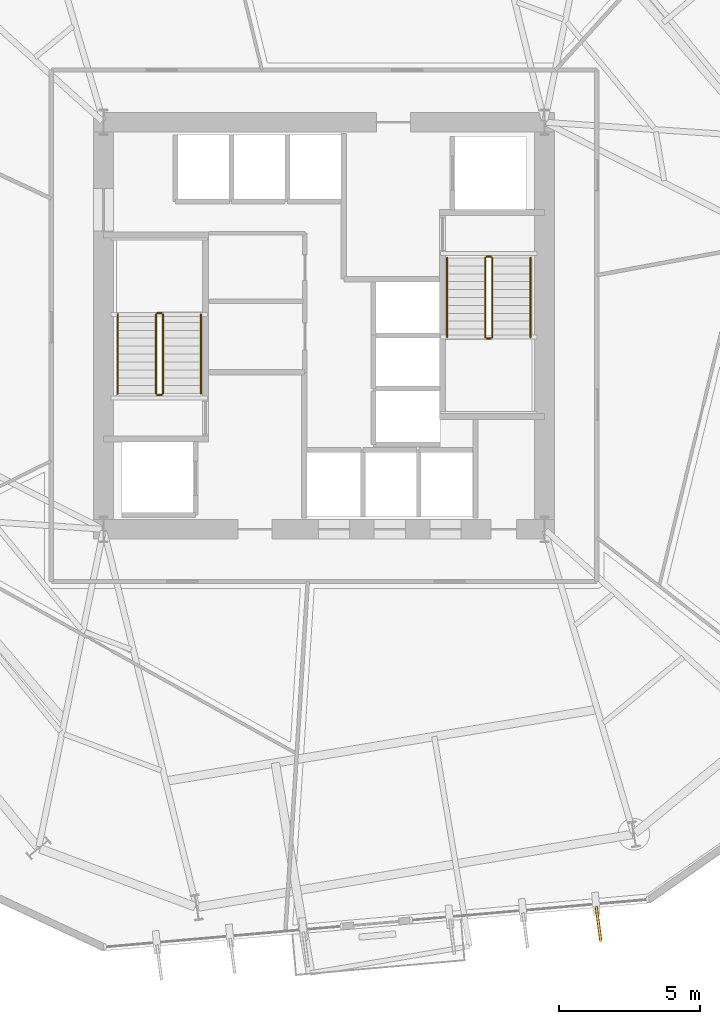
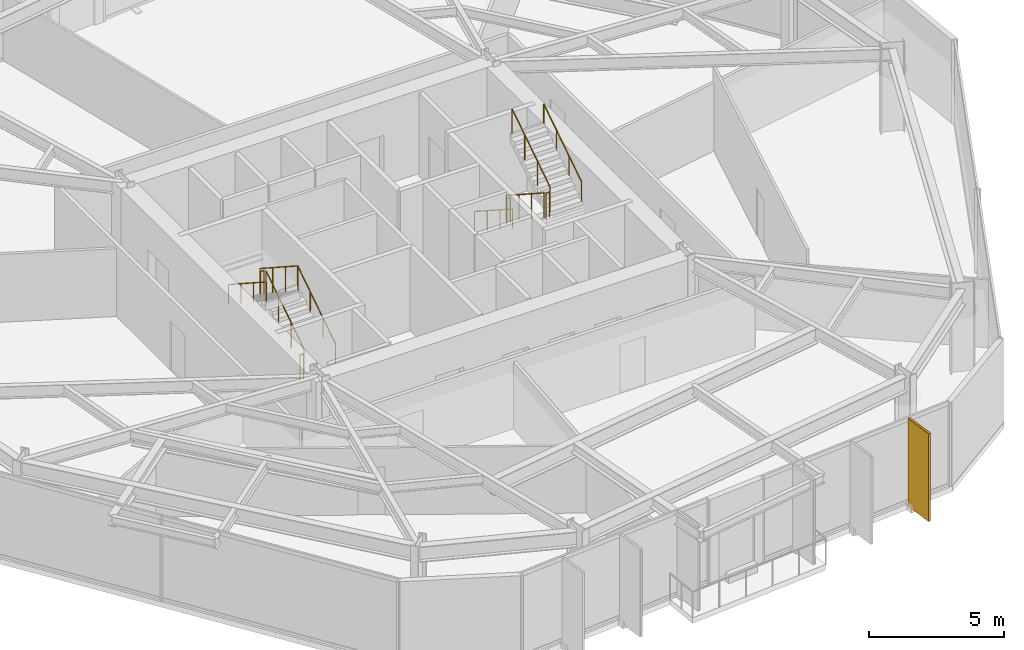
# One storey, part 10 of 11: 12 railings, 1 covering, 1 shading device.
"""IFC4 building model written with IfcOpenShell, lengths in metres."""

from ifc_helpers import new_model, si_unit, direction, frame, origin, origin_2d, place, context, subcontext, project, spatial, rectangle, circle, extrude, material, layer, layer_set, type_object, element, save


model = new_model("IFC4")

# Units and contexts
model_context = context("Model", 3, precision=1e-05, world=origin(), true_north=direction((0.0, 1.0)))
body_context = subcontext(model_context, "Body", "Model", "MODEL_VIEW")
ifc_project = project(units=[si_unit("LENGTHUNIT", "METRE"), si_unit("AREAUNIT", "SQUARE_METRE"), si_unit("VOLUMEUNIT", "CUBIC_METRE"), si_unit("PLANEANGLEUNIT", "RADIAN"), si_unit("MASSUNIT", "GRAM", prefix="KILO")], contexts=[model_context])

# Site, building, storey
site_placement = place(None, origin())
site = spatial("IfcSite", under=ifc_project, at=site_placement, CompositionType="ELEMENT")
building_placement = place(site_placement, origin())
building = spatial("IfcBuilding", under=site, at=building_placement, Name="Kranzbogen Civic Tower", CompositionType="ELEMENT")
storey_placement = place(building_placement, frame((0.0, 0.0, 40.0)))
storey = spatial("IfcBuildingStorey", under=building, at=storey_placement, Name="L09", CompositionType="ELEMENT", Elevation=40.0)

# Covering
ifc_material_1 = material(Name="Pale Anodised Aluminium", Category="aluminium")
ifc_layer = layer(ifc_material_1, 0.02490234375, Name="Pale Anodised Aluminium")
ifc_layer_set = layer_set([ifc_layer], Name="Pale Anodised Aluminium")
covering_type = type_object("IfcCoveringType", Name="Anodised Aluminium Vertical Fin Cladding 25 mm", PredefinedType="CLADDING", material=ifc_layer_set)
covering_placement = place(storey_placement, frame((34.708984375, 3.841064453125, -0.139892578125), z_axis=(0.0, 0.0, 1.0), x_axis=(0.132775371347, -0.991146155097, 0.0)))
element("IfcCovering", 1, at=covering_placement, inside=storey, type_object=covering_type, Name="L09 vertical fin pale-metal cladding F5-7", PredefinedType="CLADDING", context=body_context, shape_type="SweptSolid", body=[
    extrude(rectangle(XDim=1.25, YDim=0.10009765625, at=origin_2d()), origin(), (0.0, 0.0, 1.0), 3.9599609375),
])

# Shading device
ifc_material_2 = material(Name="Anodised Bronze Aluminium", Category="aluminium")
shading_device_type = type_object("IfcShadingDeviceType", Name="Anodised Bronze Vertical Facade Fin 1250x80", PredefinedType="USERDEFINED", material=ifc_material_2)
shading_device_placement = place(storey_placement, frame((34.708984375, 3.841064453125, -0.139892578125), z_axis=(0.0, 0.0, 1.0), x_axis=(0.132775371347, -0.991146155097, 0.0)))
element("IfcShadingDevice", 2, at=shading_device_placement, inside=storey, type_object=shading_device_type, Name="L09 vertical exterior shading fin F5-7", ObjectType="FIN", PredefinedType="USERDEFINED", context=body_context, shape_type="SweptSolid", body=[
    extrude(rectangle(XDim=1.25, YDim=0.080078125, at=origin_2d()), origin(), (0.0, 0.0, 1.0), 3.9599609375),
])

# Railings
ifc_material_3 = material(Name="Steel S355", Category="steel")
railing_type_1 = type_object("IfcRailingType", Name="Internal Stair and Void Steel Guardrail 1150", PredefinedType="GUARDRAIL", material=ifc_material_3)
railing_1_placement = place(storey_placement, frame((19.300048828125, 22.60009765625, 0.181884765625)))
element("IfcRailing", 3, at=railing_1_placement, inside=storey, type_object=railing_type_1, Name="L09 ST-T1 stair guard 1", PredefinedType="GUARDRAIL", context=body_context, shape_type="SweptSolid", body=[
    extrude(circle(Radius=0.02392578125, at=origin_2d()), frame((0.0, 0.0, 1.1259765625), z_axis=(0.0, 0.83868413941, 0.544618136222), x_axis=(-1.0, 0.0, 0.0)), (0.0, 0.0, 1.0), 3.33837890625),
    extrude(circle(Radius=0.02099609375, at=origin_2d()), origin(), (0.0, 0.0, 1.0), 1.101806640625),
    extrude(circle(Radius=0.02099609375, at=origin_2d()), frame((0.0, 0.933349609375, 0.60595703125)), (0.0, 0.0, 1.0), 1.101806640625),
    extrude(circle(Radius=0.02099609375, at=origin_2d()), frame((0.0, 1.866455078125, 1.212158203125)), (0.0, 0.0, 1.0), 1.101806640625),
    extrude(circle(Radius=0.02099609375, at=origin_2d()), frame((0.0, 2.7998046875, 1.818115234375)), (0.0, 0.0, 1.0), 1.101806640625),
])
railing_2_placement = place(storey_placement, frame((19.25, 25.449951171875, 2.0)))
element("IfcRailing", 4, at=railing_2_placement, inside=storey, type_object=railing_type_1, Name="L09 ST-T1 stair guard 2", PredefinedType="GUARDRAIL", context=body_context, shape_type="SweptSolid", body=[
    extrude(circle(Radius=0.02392578125, at=origin_2d()), frame((0.0, 0.0, 1.1259765625), z_axis=(-1.0, 0.0, 0.0), x_axis=(0.0, -1.0, 0.0)), (0.0, 0.0, 1.0), 0.14990234375),
    extrude(circle(Radius=0.02099609375, at=origin_2d()), origin(), (0.0, 0.0, 1.0), 1.101806640625),
    extrude(circle(Radius=0.02099609375, at=origin_2d()), frame((-0.14990234375, 0.0, 0.0)), (0.0, 0.0, 1.0), 1.101806640625),
])
railing_3_placement = place(storey_placement, frame((19.050048828125, 25.39990234375, 2.181884765625)))
element("IfcRailing", 5, at=railing_3_placement, inside=storey, type_object=railing_type_1, Name="L09 ST-T1 stair guard 3", PredefinedType="GUARDRAIL", context=body_context, shape_type="SweptSolid", body=[
    extrude(circle(Radius=0.02392578125, at=origin_2d()), frame((0.0, 0.0, 1.1259765625), z_axis=(0.0, -0.83868413941, 0.544618136222), x_axis=(1.0, 0.0, 0.0)), (0.0, 0.0, 1.0), 3.33837890625),
    extrude(circle(Radius=0.02099609375, at=origin_2d()), origin(), (0.0, 0.0, 1.0), 1.101806640625),
    extrude(circle(Radius=0.02099609375, at=origin_2d()), frame((0.0, -0.933349609375, 0.60595703125)), (0.0, 0.0, 1.0), 1.101806640625),
    extrude(circle(Radius=0.02099609375, at=origin_2d()), frame((0.0, -1.866455078125, 1.212158203125)), (0.0, 0.0, 1.0), 1.101806640625),
    extrude(circle(Radius=0.02099609375, at=origin_2d()), frame((0.0, -2.7998046875, 1.818115234375)), (0.0, 0.0, 1.0), 1.101806640625),
])
railing_4_placement = place(storey_placement, frame((19.25, 22.550048828125, 0.0)))
element("IfcRailing", 6, at=railing_4_placement, inside=storey, type_object=railing_type_1, Name="L09 ST-T1 stair guard 4", PredefinedType="GUARDRAIL", context=body_context, shape_type="SweptSolid", body=[
    extrude(circle(Radius=0.02392578125, at=origin_2d()), frame((0.0, 0.0, 1.1259765625), z_axis=(-1.0, 0.0, 0.0), x_axis=(0.0, -1.0, 0.0)), (0.0, 0.0, 1.0), 0.14990234375),
    extrude(circle(Radius=0.02099609375, at=origin_2d()), origin(), (0.0, 0.0, 1.0), 1.101806640625),
    extrude(circle(Radius=0.02099609375, at=origin_2d()), frame((-0.14990234375, 0.0, 0.0)), (0.0, 0.0, 1.0), 1.101806640625),
])
railing_5_placement = place(storey_placement, frame((30.699951171875, 27.39990234375, 0.181884765625)))
element("IfcRailing", 7, at=railing_5_placement, inside=storey, type_object=railing_type_1, Name="L09 ST-T2 stair guard 1", PredefinedType="GUARDRAIL", context=body_context, shape_type="SweptSolid", body=[
    extrude(circle(Radius=0.02392578125, at=origin_2d()), frame((0.0, 0.0, 1.1259765625), z_axis=(0.0, -0.83868413941, 0.544618136222), x_axis=(1.0, 0.0, 0.0)), (0.0, 0.0, 1.0), 3.33837890625),
    extrude(circle(Radius=0.02099609375, at=origin_2d()), origin(), (0.0, 0.0, 1.0), 1.101806640625),
    extrude(circle(Radius=0.02099609375, at=origin_2d()), frame((0.0, -0.933349609375, 0.60595703125)), (0.0, 0.0, 1.0), 1.101806640625),
    extrude(circle(Radius=0.02099609375, at=origin_2d()), frame((0.0, -1.866455078125, 1.212158203125)), (0.0, 0.0, 1.0), 1.101806640625),
    extrude(circle(Radius=0.02099609375, at=origin_2d()), frame((0.0, -2.7998046875, 1.818115234375)), (0.0, 0.0, 1.0), 1.101806640625),
])
railing_6_placement = place(storey_placement, frame((30.75, 24.550048828125, 2.0)))
element("IfcRailing", 8, at=railing_6_placement, inside=storey, type_object=railing_type_1, Name="L09 ST-T2 stair guard 2", PredefinedType="GUARDRAIL", context=body_context, shape_type="SweptSolid", body=[
    extrude(circle(Radius=0.02392578125, at=origin_2d()), frame((0.0, 0.0, 1.1259765625), z_axis=(1.0, 0.0, 0.0), x_axis=(0.0, 1.0, 0.0)), (0.0, 0.0, 1.0), 0.14990234375),
    extrude(circle(Radius=0.02099609375, at=origin_2d()), origin(), (0.0, 0.0, 1.0), 1.101806640625),
    extrude(circle(Radius=0.02099609375, at=origin_2d()), frame((0.14990234375, 0.0, 0.0)), (0.0, 0.0, 1.0), 1.101806640625),
])
railing_7_placement = place(storey_placement, frame((30.949951171875, 24.60009765625, 2.181884765625)))
element("IfcRailing", 9, at=railing_7_placement, inside=storey, type_object=railing_type_1, Name="L09 ST-T2 stair guard 3", PredefinedType="GUARDRAIL", context=body_context, shape_type="SweptSolid", body=[
    extrude(circle(Radius=0.02392578125, at=origin_2d()), frame((0.0, 0.0, 1.1259765625), z_axis=(0.0, 0.83868413941, 0.544618136222), x_axis=(-1.0, 0.0, 0.0)), (0.0, 0.0, 1.0), 3.33837890625),
    extrude(circle(Radius=0.02099609375, at=origin_2d()), origin(), (0.0, 0.0, 1.0), 1.101806640625),
    extrude(circle(Radius=0.02099609375, at=origin_2d()), frame((0.0, 0.933349609375, 0.60595703125)), (0.0, 0.0, 1.0), 1.101806640625),
    extrude(circle(Radius=0.02099609375, at=origin_2d()), frame((0.0, 1.866455078125, 1.212158203125)), (0.0, 0.0, 1.0), 1.101806640625),
    extrude(circle(Radius=0.02099609375, at=origin_2d()), frame((0.0, 2.7998046875, 1.818115234375)), (0.0, 0.0, 1.0), 1.101806640625),
])
railing_8_placement = place(storey_placement, frame((30.75, 27.449951171875, 0.0)))
element("IfcRailing", 10, at=railing_8_placement, inside=storey, type_object=railing_type_1, Name="L09 ST-T2 stair guard 4", PredefinedType="GUARDRAIL", context=body_context, shape_type="SweptSolid", body=[
    extrude(circle(Radius=0.02392578125, at=origin_2d()), frame((0.0, 0.0, 1.1259765625), z_axis=(1.0, 0.0, 0.0), x_axis=(0.0, 1.0, 0.0)), (0.0, 0.0, 1.0), 0.14990234375),
    extrude(circle(Radius=0.02099609375, at=origin_2d()), origin(), (0.0, 0.0, 1.0), 1.101806640625),
    extrude(circle(Radius=0.02099609375, at=origin_2d()), frame((0.14990234375, 0.0, 0.0)), (0.0, 0.0, 1.0), 1.101806640625),
])
railing_type_2 = type_object("IfcRailingType", Name="Tubular Stainless Stair Wall Handrail 900", PredefinedType="HANDRAIL", material=ifc_material_1)
railing_9_placement = place(storey_placement, frame((20.64990234375, 22.60009765625, 0.181884765625)))
element("IfcRailing", 11, at=railing_9_placement, inside=storey, type_object=railing_type_2, Name="L09 ST-T1 stair handrail 1", PredefinedType="HANDRAIL", context=body_context, shape_type="SweptSolid", body=[
    extrude(circle(Radius=0.02392578125, at=origin_2d()), frame((0.0, 0.0, 0.8759765625), z_axis=(0.0, 0.83868413941, 0.544618136222), x_axis=(-1.0, 0.0, 0.0)), (0.0, 0.0, 1.0), 3.33837890625),
    extrude(circle(Radius=0.02099609375, at=origin_2d()), origin(), (0.0, 0.0, 1.0), 0.851806640625),
    extrude(circle(Radius=0.02099609375, at=origin_2d()), frame((0.0, 0.933349609375, 0.60595703125)), (0.0, 0.0, 1.0), 0.851806640625),
    extrude(circle(Radius=0.02099609375, at=origin_2d()), frame((0.0, 1.866455078125, 1.212158203125)), (0.0, 0.0, 1.0), 0.851806640625),
    extrude(circle(Radius=0.02099609375, at=origin_2d()), frame((0.0, 2.7998046875, 1.818115234375)), (0.0, 0.0, 1.0), 0.851806640625),
])
for number, where, name in (
    (12, (17.699951171875, 25.39990234375, 2.181884765625), "L09 ST-T1 stair handrail 2"),
    (13, (29.35009765625, 27.39990234375, 0.181884765625), "L09 ST-T2 stair handrail 1"),
):
    element("IfcRailing", number, at=place(storey_placement, frame(where)), inside=storey, type_object=railing_type_2, Name=name, PredefinedType="HANDRAIL", context=body_context, shape_type="SweptSolid", body=[
        extrude(circle(Radius=0.02392578125, at=origin_2d()), frame((0.0, 0.0, 0.8759765625), z_axis=(0.0, -0.83868413941, 0.544618136222), x_axis=(1.0, 0.0, 0.0)), (0.0, 0.0, 1.0), 3.33837890625),
        extrude(circle(Radius=0.02099609375, at=origin_2d()), origin(), (0.0, 0.0, 1.0), 0.851806640625),
        extrude(circle(Radius=0.02099609375, at=origin_2d()), frame((0.0, -0.933349609375, 0.60595703125)), (0.0, 0.0, 1.0), 0.851806640625),
        extrude(circle(Radius=0.02099609375, at=origin_2d()), frame((0.0, -1.866455078125, 1.212158203125)), (0.0, 0.0, 1.0), 0.851806640625),
        extrude(circle(Radius=0.02099609375, at=origin_2d()), frame((0.0, -2.7998046875, 1.818115234375)), (0.0, 0.0, 1.0), 0.851806640625),
    ])
railing_10_placement = place(storey_placement, frame((32.300048828125, 24.60009765625, 2.181884765625)))
element("IfcRailing", 14, at=railing_10_placement, inside=storey, type_object=railing_type_2, Name="L09 ST-T2 stair handrail 2", PredefinedType="HANDRAIL", context=body_context, shape_type="SweptSolid", body=[
    extrude(circle(Radius=0.02392578125, at=origin_2d()), frame((0.0, 0.0, 0.8759765625), z_axis=(0.0, 0.83868413941, 0.544618136222), x_axis=(-1.0, 0.0, 0.0)), (0.0, 0.0, 1.0), 3.33837890625),
    extrude(circle(Radius=0.02099609375, at=origin_2d()), origin(), (0.0, 0.0, 1.0), 0.851806640625),
    extrude(circle(Radius=0.02099609375, at=origin_2d()), frame((0.0, 0.933349609375, 0.60595703125)), (0.0, 0.0, 1.0), 0.851806640625),
    extrude(circle(Radius=0.02099609375, at=origin_2d()), frame((0.0, 1.866455078125, 1.212158203125)), (0.0, 0.0, 1.0), 0.851806640625),
    extrude(circle(Radius=0.02099609375, at=origin_2d()), frame((0.0, 2.7998046875, 1.818115234375)), (0.0, 0.0, 1.0), 0.851806640625),
])

save(model, "model.ifc")
